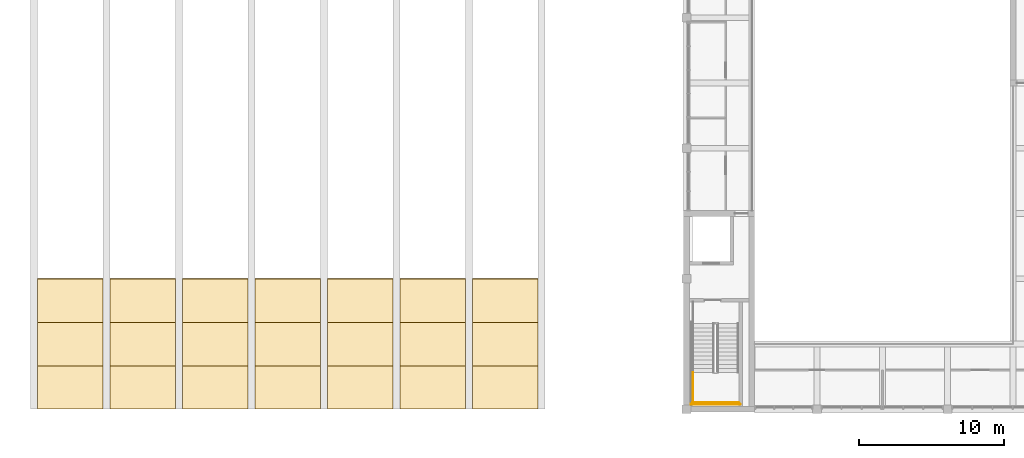
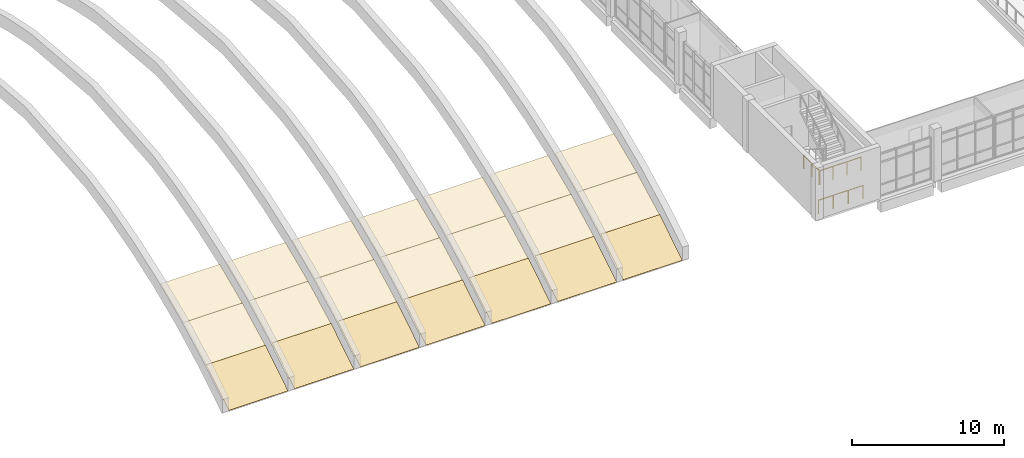
# One storey, part 66 of 88: 21 coverings, 3 railings.
"""IFC4 building model written with IfcOpenShell, lengths in metres."""

from ifc_helpers import new_model, si_unit, direction, frame, origin, origin_2d, place, context, subcontext, project, spatial, polyline, circle, outline, extrude, material, layer, layer_set, type_object, element, save


model = new_model("IFC4")

# Units and contexts
model_context = context("Model", 3, precision=1e-05, world=origin(), true_north=direction((0.0, 1.0)))
body_context = subcontext(model_context, "Body", "Model", "MODEL_VIEW")
ifc_project = project(units=[si_unit("LENGTHUNIT", "METRE"), si_unit("AREAUNIT", "SQUARE_METRE"), si_unit("VOLUMEUNIT", "CUBIC_METRE"), si_unit("PLANEANGLEUNIT", "RADIAN"), si_unit("MASSUNIT", "GRAM", prefix="KILO")], contexts=[model_context])

# Site, building, storey
site_placement = place(None, origin())
site = spatial("IfcSite", under=ifc_project, at=site_placement, CompositionType="ELEMENT")
building_placement = place(site_placement, origin())
building = spatial("IfcBuilding", under=site, at=building_placement, Name="Merrow Basin Faculty of Sciences", CompositionType="ELEMENT")
storey_placement = place(building_placement, frame((0.0, 0.0, 9.0)))
storey = spatial("IfcBuildingStorey", under=building, at=storey_placement, Name="L02", CompositionType="ELEMENT", Elevation=9.0)

# Coverings
ifc_material_1 = material(Name="Bituminous roofing membrane")
ifc_layer = layer(ifc_material_1, 0.030029296875)
ifc_layer_set = layer_set([ifc_layer], Name="Shell waterproofing 30")
covering_type = type_object("IfcCoveringType", Name="Shell waterproofing 30", PredefinedType="ROOFING", material=ifc_layer_set)
covering_1_placement = place(storey_placement, frame((0.25, 0.0, 0.153076171875), z_axis=(0.0, -0.530410372861, 0.847741019629), x_axis=(1.0, 0.0, 0.0)))
element("IfcCovering", 1, at=covering_1_placement, inside=storey, type_object=covering_type, Name="Shell waterproofing", PredefinedType="ROOFING", context=body_context, shape_type="SweptSolid", body=[
    extrude(outline(polyline([(0.0, 0.0), (4.5, 0.0), (4.5, 3.519809292766733), (0.0, 3.519809292766733), (0.0, 0.0)])), origin(), (0.0, 0.0, -1.0), 0.030029296875),
])
covering_2_placement = place(storey_placement, frame((0.25, 2.986083984375, 2.02099609375), z_axis=(0.0, -0.46369174099, 0.885996596685), x_axis=(1.0, 0.0, 0.0)))
element("IfcCovering", 2, at=covering_2_placement, inside=storey, type_object=covering_type, Name="Shell waterproofing", PredefinedType="ROOFING", context=body_context, shape_type="SweptSolid", body=[
    extrude(outline(polyline([(0.0, 0.0), (4.5, 0.0), (4.5, 3.3860175210873473), (0.0, 3.3860175210873473), (0.0, 0.0)])), origin(), (0.0, 0.0, -1.0), 0.030029296875),
])
covering_3_placement = place(storey_placement, frame((0.25, 5.988037109375, 3.592041015625), z_axis=(0.0, -0.398876188653, 0.917004790677), x_axis=(1.0, 0.0, 0.0)))
element("IfcCovering", 3, at=covering_3_placement, inside=storey, type_object=covering_type, Name="Shell waterproofing", PredefinedType="ROOFING", context=body_context, shape_type="SweptSolid", body=[
    extrude(outline(polyline([(0.0, 0.0), (4.5, 0.0), (4.5, 3.271520531297986), (0.0, 3.271520531297986), (0.0, 0.0)])), origin(), (0.0, 0.0, -1.0), 0.030029296875),
])
covering_4_placement = place(storey_placement, frame((5.25, 0.0, 0.153076171875), z_axis=(0.0, -0.530410372861, 0.847741019629), x_axis=(1.0, 0.0, 0.0)))
element("IfcCovering", 4, at=covering_4_placement, inside=storey, type_object=covering_type, Name="Shell waterproofing", PredefinedType="ROOFING", context=body_context, shape_type="SweptSolid", body=[
    extrude(outline(polyline([(0.0, 0.0), (4.5, 0.0), (4.5, 3.519809292766733), (0.0, 3.519809292766733), (0.0, 0.0)])), origin(), (0.0, 0.0, -1.0), 0.030029296875),
])
covering_5_placement = place(storey_placement, frame((5.25, 2.986083984375, 2.02099609375), z_axis=(0.0, -0.46369174099, 0.885996596685), x_axis=(1.0, 0.0, 0.0)))
element("IfcCovering", 5, at=covering_5_placement, inside=storey, type_object=covering_type, Name="Shell waterproofing", PredefinedType="ROOFING", context=body_context, shape_type="SweptSolid", body=[
    extrude(outline(polyline([(0.0, 0.0), (4.5, 0.0), (4.5, 3.3860175210873473), (0.0, 3.3860175210873473), (0.0, 0.0)])), origin(), (0.0, 0.0, -1.0), 0.030029296875),
])
covering_6_placement = place(storey_placement, frame((5.25, 5.988037109375, 3.592041015625), z_axis=(0.0, -0.398876188653, 0.917004790677), x_axis=(1.0, 0.0, 0.0)))
element("IfcCovering", 6, at=covering_6_placement, inside=storey, type_object=covering_type, Name="Shell waterproofing", PredefinedType="ROOFING", context=body_context, shape_type="SweptSolid", body=[
    extrude(outline(polyline([(0.0, 0.0), (4.5, 0.0), (4.5, 3.271520531297986), (0.0, 3.271520531297986), (0.0, 0.0)])), origin(), (0.0, 0.0, -1.0), 0.030029296875),
])
covering_7_placement = place(storey_placement, frame((10.25, 0.0, 0.153076171875), z_axis=(0.0, -0.530410372861, 0.847741019629), x_axis=(1.0, 0.0, 0.0)))
element("IfcCovering", 7, at=covering_7_placement, inside=storey, type_object=covering_type, Name="Shell waterproofing", PredefinedType="ROOFING", context=body_context, shape_type="SweptSolid", body=[
    extrude(outline(polyline([(0.0, 0.0), (4.5, 0.0), (4.5, 3.519809292766733), (0.0, 3.519809292766733), (0.0, 0.0)])), origin(), (0.0, 0.0, -1.0), 0.030029296875),
])
covering_8_placement = place(storey_placement, frame((10.25, 2.986083984375, 2.02099609375), z_axis=(0.0, -0.46369174099, 0.885996596685), x_axis=(1.0, 0.0, 0.0)))
element("IfcCovering", 8, at=covering_8_placement, inside=storey, type_object=covering_type, Name="Shell waterproofing", PredefinedType="ROOFING", context=body_context, shape_type="SweptSolid", body=[
    extrude(outline(polyline([(0.0, 0.0), (4.5, 0.0), (4.5, 3.3860175210873473), (0.0, 3.3860175210873473), (0.0, 0.0)])), origin(), (0.0, 0.0, -1.0), 0.030029296875),
])
covering_9_placement = place(storey_placement, frame((10.25, 5.988037109375, 3.592041015625), z_axis=(0.0, -0.398876188653, 0.917004790677), x_axis=(1.0, 0.0, 0.0)))
element("IfcCovering", 9, at=covering_9_placement, inside=storey, type_object=covering_type, Name="Shell waterproofing", PredefinedType="ROOFING", context=body_context, shape_type="SweptSolid", body=[
    extrude(outline(polyline([(0.0, 0.0), (4.5, 0.0), (4.5, 3.271520531297986), (0.0, 3.271520531297986), (0.0, 0.0)])), origin(), (0.0, 0.0, -1.0), 0.030029296875),
])
covering_10_placement = place(storey_placement, frame((15.25, 0.0, 0.153076171875), z_axis=(0.0, -0.530410372861, 0.847741019629), x_axis=(1.0, 0.0, 0.0)))
element("IfcCovering", 10, at=covering_10_placement, inside=storey, type_object=covering_type, Name="Shell waterproofing", PredefinedType="ROOFING", context=body_context, shape_type="SweptSolid", body=[
    extrude(outline(polyline([(0.0, 0.0), (4.5, 0.0), (4.5, 3.519809292766733), (0.0, 3.519809292766733), (0.0, 0.0)])), origin(), (0.0, 0.0, -1.0), 0.030029296875),
])
covering_11_placement = place(storey_placement, frame((15.25, 2.986083984375, 2.02099609375), z_axis=(0.0, -0.46369174099, 0.885996596685), x_axis=(1.0, 0.0, 0.0)))
element("IfcCovering", 11, at=covering_11_placement, inside=storey, type_object=covering_type, Name="Shell waterproofing", PredefinedType="ROOFING", context=body_context, shape_type="SweptSolid", body=[
    extrude(outline(polyline([(0.0, 0.0), (4.5, 0.0), (4.5, 3.3860175210873473), (0.0, 3.3860175210873473), (0.0, 0.0)])), origin(), (0.0, 0.0, -1.0), 0.030029296875),
])
covering_12_placement = place(storey_placement, frame((15.25, 5.988037109375, 3.592041015625), z_axis=(0.0, -0.398876188653, 0.917004790677), x_axis=(1.0, 0.0, 0.0)))
element("IfcCovering", 12, at=covering_12_placement, inside=storey, type_object=covering_type, Name="Shell waterproofing", PredefinedType="ROOFING", context=body_context, shape_type="SweptSolid", body=[
    extrude(outline(polyline([(0.0, 0.0), (4.5, 0.0), (4.5, 3.271520531297986), (0.0, 3.271520531297986), (0.0, 0.0)])), origin(), (0.0, 0.0, -1.0), 0.030029296875),
])
covering_13_placement = place(storey_placement, frame((20.25, 0.0, 0.153076171875), z_axis=(0.0, -0.530410372861, 0.847741019629), x_axis=(1.0, 0.0, 0.0)))
element("IfcCovering", 13, at=covering_13_placement, inside=storey, type_object=covering_type, Name="Shell waterproofing", PredefinedType="ROOFING", context=body_context, shape_type="SweptSolid", body=[
    extrude(outline(polyline([(0.0, 0.0), (4.5, 0.0), (4.5, 3.519809292766733), (0.0, 3.519809292766733), (0.0, 0.0)])), origin(), (0.0, 0.0, -1.0), 0.030029296875),
])
covering_14_placement = place(storey_placement, frame((20.25, 2.986083984375, 2.02099609375), z_axis=(0.0, -0.46369174099, 0.885996596685), x_axis=(1.0, 0.0, 0.0)))
element("IfcCovering", 14, at=covering_14_placement, inside=storey, type_object=covering_type, Name="Shell waterproofing", PredefinedType="ROOFING", context=body_context, shape_type="SweptSolid", body=[
    extrude(outline(polyline([(0.0, 0.0), (4.5, 0.0), (4.5, 3.3860175210873473), (0.0, 3.3860175210873473), (0.0, 0.0)])), origin(), (0.0, 0.0, -1.0), 0.030029296875),
])
covering_15_placement = place(storey_placement, frame((20.25, 5.988037109375, 3.592041015625), z_axis=(0.0, -0.398876188653, 0.917004790677), x_axis=(1.0, 0.0, 0.0)))
element("IfcCovering", 15, at=covering_15_placement, inside=storey, type_object=covering_type, Name="Shell waterproofing", PredefinedType="ROOFING", context=body_context, shape_type="SweptSolid", body=[
    extrude(outline(polyline([(0.0, 0.0), (4.5, 0.0), (4.5, 3.271520531297986), (0.0, 3.271520531297986), (0.0, 0.0)])), origin(), (0.0, 0.0, -1.0), 0.030029296875),
])
covering_16_placement = place(storey_placement, frame((25.25, 0.0, 0.153076171875), z_axis=(0.0, -0.530410372861, 0.847741019629), x_axis=(1.0, 0.0, 0.0)))
element("IfcCovering", 16, at=covering_16_placement, inside=storey, type_object=covering_type, Name="Shell waterproofing", PredefinedType="ROOFING", context=body_context, shape_type="SweptSolid", body=[
    extrude(outline(polyline([(0.0, 0.0), (4.5, 0.0), (4.5, 3.519809292766733), (0.0, 3.519809292766733), (0.0, 0.0)])), origin(), (0.0, 0.0, -1.0), 0.030029296875),
])
covering_17_placement = place(storey_placement, frame((25.25, 2.986083984375, 2.02099609375), z_axis=(0.0, -0.46369174099, 0.885996596685), x_axis=(1.0, 0.0, 0.0)))
element("IfcCovering", 17, at=covering_17_placement, inside=storey, type_object=covering_type, Name="Shell waterproofing", PredefinedType="ROOFING", context=body_context, shape_type="SweptSolid", body=[
    extrude(outline(polyline([(0.0, 0.0), (4.5, 0.0), (4.5, 3.3860175210873473), (0.0, 3.3860175210873473), (0.0, 0.0)])), origin(), (0.0, 0.0, -1.0), 0.030029296875),
])
covering_18_placement = place(storey_placement, frame((25.25, 5.988037109375, 3.592041015625), z_axis=(0.0, -0.398876188653, 0.917004790677), x_axis=(1.0, 0.0, 0.0)))
element("IfcCovering", 18, at=covering_18_placement, inside=storey, type_object=covering_type, Name="Shell waterproofing", PredefinedType="ROOFING", context=body_context, shape_type="SweptSolid", body=[
    extrude(outline(polyline([(0.0, 0.0), (4.5, 0.0), (4.5, 3.271520531297986), (0.0, 3.271520531297986), (0.0, 0.0)])), origin(), (0.0, 0.0, -1.0), 0.030029296875),
])
covering_19_placement = place(storey_placement, frame((30.25, 0.0, 0.153076171875), z_axis=(0.0, -0.530410372861, 0.847741019629), x_axis=(1.0, 0.0, 0.0)))
element("IfcCovering", 19, at=covering_19_placement, inside=storey, type_object=covering_type, Name="Shell waterproofing", PredefinedType="ROOFING", context=body_context, shape_type="SweptSolid", body=[
    extrude(outline(polyline([(0.0, 0.0), (4.5, 0.0), (4.5, 3.519809292766733), (0.0, 3.519809292766733), (0.0, 0.0)])), origin(), (0.0, 0.0, -1.0), 0.030029296875),
])
covering_20_placement = place(storey_placement, frame((30.25, 2.986083984375, 2.02099609375), z_axis=(0.0, -0.46369174099, 0.885996596685), x_axis=(1.0, 0.0, 0.0)))
element("IfcCovering", 20, at=covering_20_placement, inside=storey, type_object=covering_type, Name="Shell waterproofing", PredefinedType="ROOFING", context=body_context, shape_type="SweptSolid", body=[
    extrude(outline(polyline([(0.0, 0.0), (4.5, 0.0), (4.5, 3.3860175210873473), (0.0, 3.3860175210873473), (0.0, 0.0)])), origin(), (0.0, 0.0, -1.0), 0.030029296875),
])
covering_21_placement = place(storey_placement, frame((30.25, 5.988037109375, 3.592041015625), z_axis=(0.0, -0.398876188653, 0.917004790677), x_axis=(1.0, 0.0, 0.0)))
element("IfcCovering", 21, at=covering_21_placement, inside=storey, type_object=covering_type, Name="Shell waterproofing", PredefinedType="ROOFING", context=body_context, shape_type="SweptSolid", body=[
    extrude(outline(polyline([(0.0, 0.0), (4.5, 0.0), (4.5, 3.271520531297986), (0.0, 3.271520531297986), (0.0, 0.0)])), origin(), (0.0, 0.0, -1.0), 0.030029296875),
])

# Railings
ifc_material_2 = material(Name="Steel ASTM A36", Category="steel")
railing_type = type_object("IfcRailingType", Name="Steel guard 1100", PredefinedType="GUARDRAIL", material=ifc_material_2)
railing_1_placement = place(storey_placement, frame((45.449951171875, 2.5400390625, 2.25)))
element("IfcRailing", 22, at=railing_1_placement, inside=storey, type_object=railing_type, Name="L02 ST-V3-W stair guard 3", PredefinedType="GUARDRAIL", context=body_context, shape_type="SweptSolid", body=[
    extrude(circle(Radius=0.02392578125, at=origin_2d()), frame((0.0, 0.0, 1.076171875), z_axis=(0.0, -1.0, 0.0), x_axis=(1.0, 0.0, 0.0)), (0.0, 0.0, 1.0), 2.14013671875),
    extrude(circle(Radius=0.02099609375, at=origin_2d()), origin(), (0.0, 0.0, 1.0), 1.052001953125),
    extrude(circle(Radius=0.02099609375, at=origin_2d()), frame((0.0, -1.070068359375, 0.0)), (0.0, 0.0, 1.0), 1.052001953125),
    extrude(circle(Radius=0.02099609375, at=origin_2d()), frame((0.0, -2.14013671875, 0.0)), (0.0, 0.0, 1.0), 1.052001953125),
])
railing_2_placement = place(storey_placement, frame((45.39990234375, 0.449951171875, 2.25)))
element("IfcRailing", 23, at=railing_2_placement, inside=storey, type_object=railing_type, Name="L02 ST-V3-W stair guard 4", PredefinedType="GUARDRAIL", context=body_context, shape_type="SweptSolid", body=[
    extrude(circle(Radius=0.02392578125, at=origin_2d()), frame((0.0, 0.0, 1.076171875), z_axis=(1.0, 0.0, 0.0), x_axis=(0.0, 1.0, 0.0)), (0.0, 0.0, 1.0), 3.2001953125),
    extrude(circle(Radius=0.02099609375, at=origin_2d()), origin(), (0.0, 0.0, 1.0), 1.052001953125),
    extrude(circle(Radius=0.02099609375, at=origin_2d()), frame((1.066650390625, 0.0, 0.0)), (0.0, 0.0, 1.0), 1.052001953125),
    extrude(circle(Radius=0.02099609375, at=origin_2d()), frame((2.133544921875, 0.0, 0.0)), (0.0, 0.0, 1.0), 1.052001953125),
    extrude(circle(Radius=0.02099609375, at=origin_2d()), frame((3.2001953125, 0.0, 0.0)), (0.0, 0.0, 1.0), 1.052001953125),
])
railing_3_placement = place(storey_placement, frame((45.300048828125, 0.35009765625, 0.0)))
element("IfcRailing", 24, at=railing_3_placement, inside=storey, type_object=railing_type, Name="L02 ST-V3-W stair guard 9", PredefinedType="GUARDRAIL", context=body_context, shape_type="SweptSolid", body=[
    extrude(circle(Radius=0.02392578125, at=origin_2d()), frame((0.0, 0.0, 1.076171875), z_axis=(1.0, 0.0, 0.0), x_axis=(0.0, 1.0, 0.0)), (0.0, 0.0, 1.0), 3.39990234375),
    extrude(circle(Radius=0.02099609375, at=origin_2d()), origin(), (0.0, 0.0, 1.0), 1.052001953125),
    extrude(circle(Radius=0.02099609375, at=origin_2d()), frame((1.13330078125, 0.0, 0.0)), (0.0, 0.0, 1.0), 1.052001953125),
    extrude(circle(Radius=0.02099609375, at=origin_2d()), frame((2.2666015625, 0.0, 0.0)), (0.0, 0.0, 1.0), 1.052001953125),
    extrude(circle(Radius=0.02099609375, at=origin_2d()), frame((3.39990234375, 0.0, 0.0)), (0.0, 0.0, 1.0), 1.052001953125),
])

save(model, "model.ifc")
